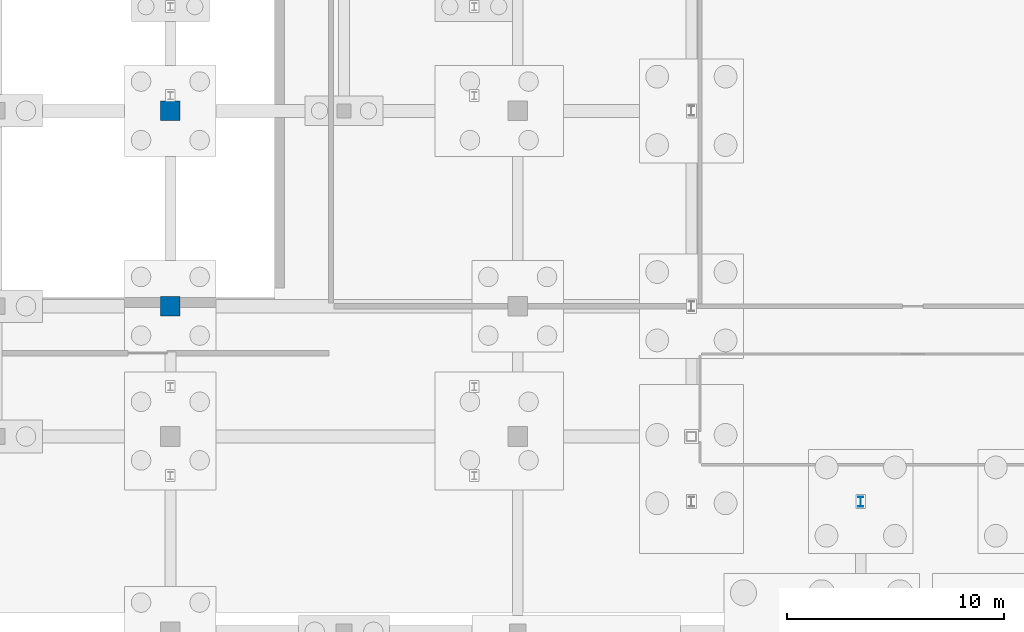
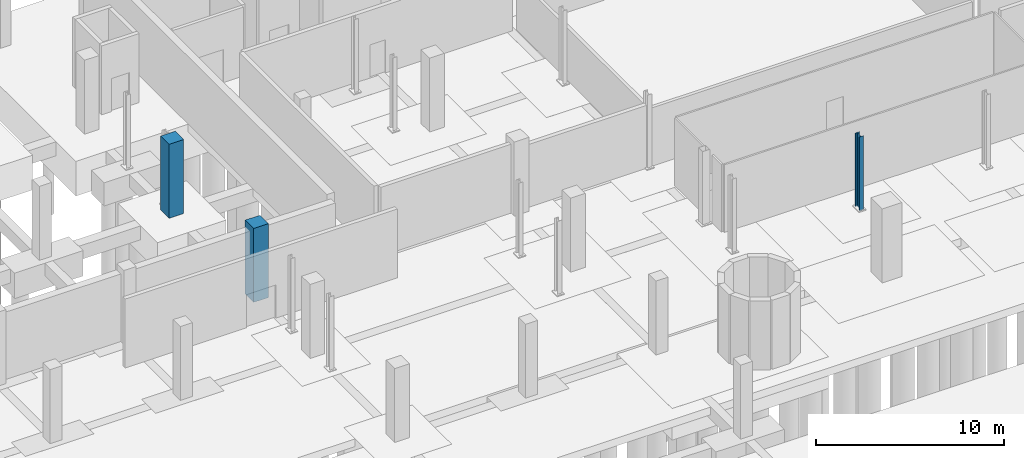
# One storey, part 10 of 32: 3 columns.
"""IFC4 building model written with IfcOpenShell, lengths in metres."""

from ifc_helpers import new_model, si_unit, derived_unit, direction, frame, origin, origin_2d, place, context, subcontext, project, spatial, rectangle, i_section, extrude, material, material_profile, profile_set, type_object, element, save


model = new_model("IFC4")

# Units and contexts
model_context = context("Model", 3, precision=1e-05, world=origin(), true_north=direction((0.0, 1.0)))
body_context = subcontext(model_context, "Body", "Model", "MODEL_VIEW")
ifc_project = project(units=[si_unit("LENGTHUNIT", "METRE"), si_unit("AREAUNIT", "SQUARE_METRE"), si_unit("VOLUMEUNIT", "CUBIC_METRE"), si_unit("PLANEANGLEUNIT", "RADIAN"), si_unit("MASSUNIT", "GRAM", prefix="KILO"), derived_unit("THERMALTRANSMITTANCEUNIT", [(si_unit("POWERUNIT", "WATT"), 1), (si_unit("LENGTHUNIT", "METRE"), -2), (si_unit("THERMODYNAMICTEMPERATUREUNIT", "KELVIN"), -1)])], contexts=[model_context])

# Site, building, storey
site_placement = place(None, origin())
site = spatial("IfcSite", under=ifc_project, at=site_placement, CompositionType="ELEMENT")
building_placement = place(site_placement, origin())
building = spatial("IfcBuilding", under=site, at=building_placement, Name="Nallur Shell Playhouse", CompositionType="ELEMENT")
storey_placement = place(building_placement, frame((0.0, 0.0, -4.800048828125)))
storey = spatial("IfcBuildingStorey", under=building, at=storey_placement, Name="B1", CompositionType="ELEMENT", Elevation=-4.800048828125)

# Columns
ifc_material_1 = material(Name="Concrete M40", Category="concrete")
ifc_material_profile_1 = material_profile(ifc_material_1, rectangle(XDim=0.89990234375, YDim=0.89990234375, at=origin_2d()), Name="RC 900x900")
ifc_profile_set_1 = profile_set([ifc_material_profile_1], Name="Concrete M40")
column_type_1 = type_object("IfcColumnType", Name="CL-RC-900", PredefinedType="COLUMN", material=ifc_profile_set_1)
for number, where, z_axis, x_axis, name in (
    (1, (40.0, 56.0, 0.0), (0.0, 0.0, 1.0), (1.0, 0.0, 0.0), "Column 5-G (B1)"),
    (2, (40.0, 65.0, 0.0), (0.0, 0.0, 1.0), (1.0, 0.0, 0.0), "Column 5-H (B1)"),
):
    element("IfcColumn", number, at=place(storey_placement, frame(where, z_axis=z_axis, x_axis=x_axis)), inside=storey, type_object=column_type_1, Name=name, PredefinedType="COLUMN", context=body_context, shape_type="SweptSolid", body=[
        extrude(rectangle(XDim=0.89990234375, YDim=0.89990234375, at=origin_2d()), origin(), (0.0, 0.0, 1.0), 4.800048828125),
    ])
ifc_material_2 = material(Name="Steel E350", Category="steel")
ifc_material_profile_2 = material_profile(ifc_material_2, i_section(OverallWidth=0.25, OverallDepth=0.449951171875, WebThickness=0.01123046875, FlangeThickness=0.013671875, FilletRadius=0.014892578125, at=origin_2d()), Name="ISHB 450")
ifc_profile_set_2 = profile_set([ifc_material_profile_2], Name="Steel E350")
column_type_2 = type_object("IfcColumnType", Name="CL-ST-ISHB450", PredefinedType="COLUMN", material=ifc_profile_set_2)
column_placement = place(storey_placement, frame((71.800048828125, 47.0, 0.0), z_axis=(0.0, 0.0, 1.0), x_axis=(1.0, 0.0, 0.0)))
element("IfcColumn", 3, at=column_placement, inside=storey, type_object=column_type_2, Name="Column PROSC-2 (B1)", PredefinedType="COLUMN", context=body_context, shape_type="SweptSolid", body=[
    extrude(i_section(OverallWidth=0.25, OverallDepth=0.449951171875, WebThickness=0.01123046875, FlangeThickness=0.013671875, FilletRadius=0.014892578125, at=origin_2d()), origin(), (0.0, 0.0, 1.0), 4.800048828125),
])

save(model, "model.ifc")
